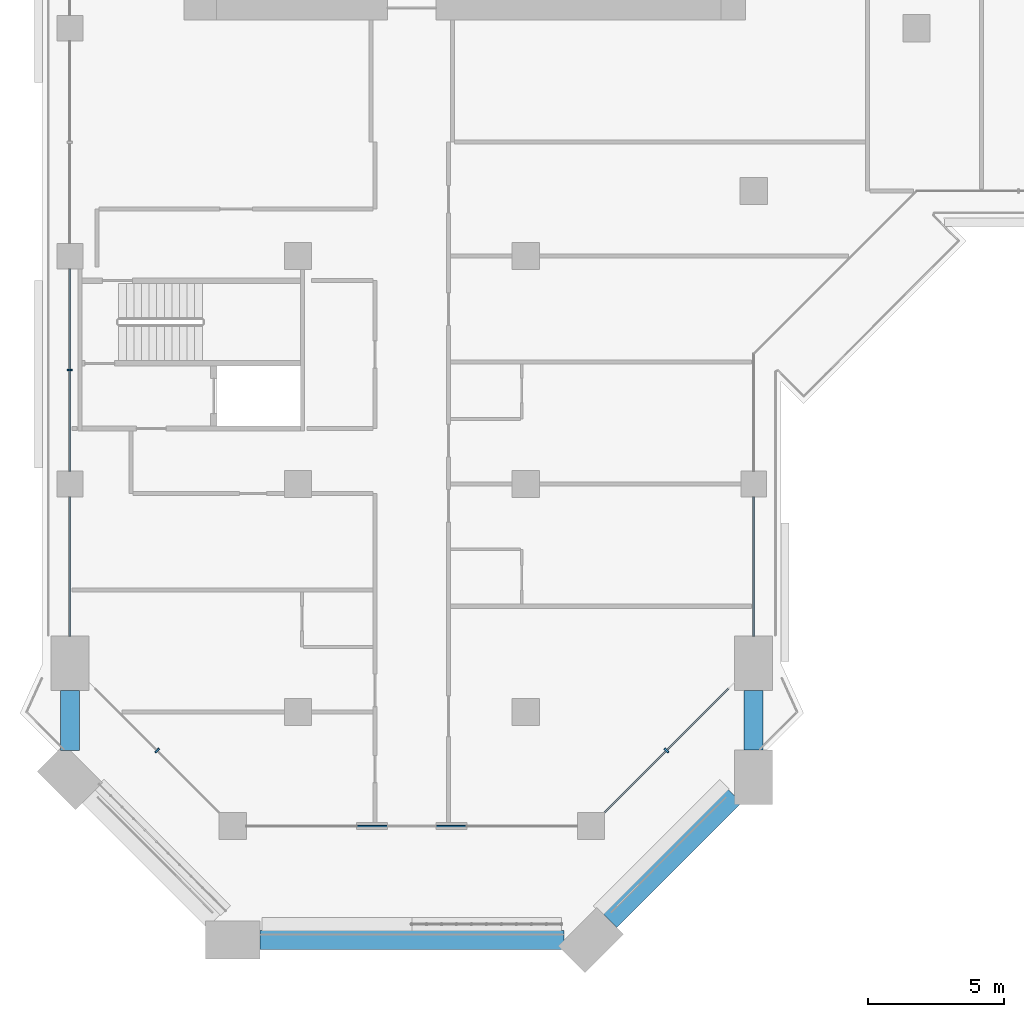
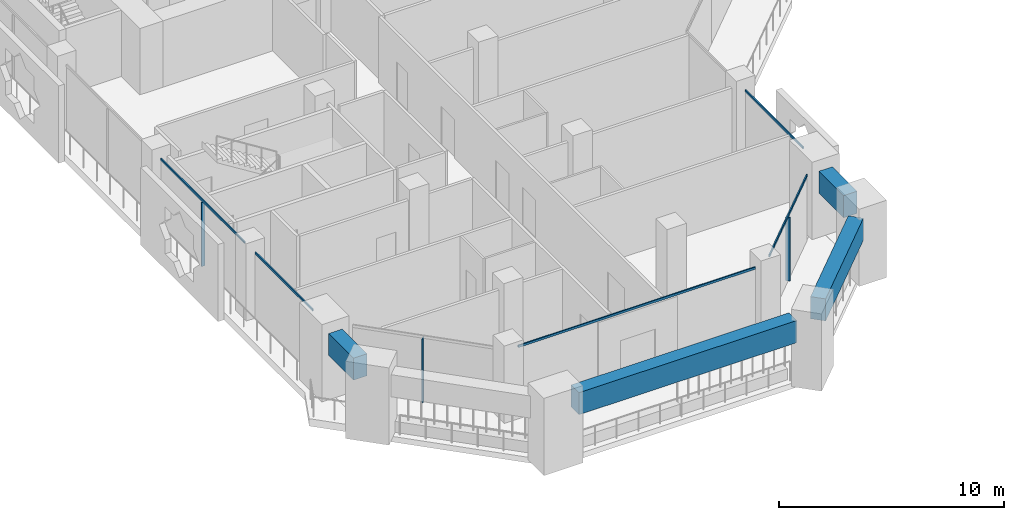
# One storey, part 2 of 22: 8 members, 4 beams, 5 elements without a shape of their own.
"""IFC4 building model written with IfcOpenShell, lengths in metres."""

from ifc_helpers import new_model, si_unit, direction, frame, origin, origin_2d, place, context, subcontext, project, spatial, rectangle, extrude, material, layer, layer_set, material_profile, profile_set, type_object, element, aggregate, save


model = new_model("IFC4")

# Units and contexts
model_context = context("Model", 3, precision=1e-05, world=origin(), true_north=direction((0.0, 1.0)))
body_context = subcontext(model_context, "Body", "Model", "MODEL_VIEW")
ifc_project = project(units=[si_unit("LENGTHUNIT", "METRE"), si_unit("AREAUNIT", "SQUARE_METRE"), si_unit("VOLUMEUNIT", "CUBIC_METRE"), si_unit("PLANEANGLEUNIT", "RADIAN"), si_unit("MASSUNIT", "GRAM", prefix="KILO")], contexts=[model_context])

# Site, building, storey
site_placement = place(None, origin())
site = spatial("IfcSite", under=ifc_project, at=site_placement, CompositionType="ELEMENT")
building_placement = place(site_placement, origin())
building = spatial("IfcBuilding", under=site, at=building_placement, Name="Kawkab Arch Medical Tower", CompositionType="ELEMENT")
storey_placement = place(building_placement, frame((0.0, 0.0, 171.0)))
storey = spatial("IfcBuildingStorey", under=building, at=storey_placement, Name="L39", CompositionType="ELEMENT", Elevation=171.0)

# Curtain wall, members
ifc_material_1 = material(Name="Bronze anodised aluminium curtain wall frame", Category="aluminium")
ifc_layer_1 = layer(ifc_material_1, 0.159912109375)
ifc_layer_set_1 = layer_set([ifc_layer_1], Name="Bronze anodised aluminium curtain wall frame")
curtain_wall_type_1 = type_object("IfcCurtainWallType", Name="CW1 ward curtain wall", PredefinedType="NOTDEFINED", material=ifc_layer_set_1)
placement = place(storey_placement, origin())
curtain_wall_1 = element("IfcCurtainWall", 1, at=placement, inside=storey, type_object=curtain_wall_type_1, Name="CW1 Ward curtain wall R01", PredefinedType="NOTDEFINED")
ifc_material_2 = material(Name="Bronze anodised aluminium curtain wall frame", Category="aluminium")
ifc_material_profile_1 = material_profile(ifc_material_2, rectangle(XDim=0.179931640625, YDim=0.06005859375, at=origin_2d()), Name="AL 60x180")
ifc_profile_set_1 = profile_set([ifc_material_profile_1], Name="Bronze anodised aluminium curtain wall frame")
member_type_1 = type_object("IfcMemberType", Name="CW1 mullion 60 x 180", PredefinedType="MULLION", material=ifc_profile_set_1)
member_1_placement = place(storey_placement, frame((0.0, -37.800048828125, 0.0), z_axis=(0.0, 0.0, 1.0), x_axis=(1.0, 0.0, 0.0)))
member_1 = element("IfcMember", 2, at=member_1_placement, type_object=member_type_1, Name="CW1 mullion 4.1", PredefinedType="MULLION", context=body_context, shape_type="SweptSolid", body=[
    extrude(rectangle(XDim=0.179931640625, YDim=0.06005859375, at=origin_2d()), origin(), (0.0, 0.0, 1.0), 3.47998046875),
])
ifc_material_3 = material(Name="Bronze anodised aluminium curtain wall frame", Category="aluminium")
ifc_material_profile_2 = material_profile(ifc_material_3, rectangle(XDim=0.06005859375, YDim=0.1201171875, at=origin_2d()), Name="AL 60x120")
ifc_profile_set_2 = profile_set([ifc_material_profile_2], Name="Bronze anodised aluminium curtain wall frame")
member_type_2 = type_object("IfcMemberType", Name="CW1 transom 120 x 60", PredefinedType="USERDEFINED", material=ifc_profile_set_2)
member_2_placement = place(storey_placement, frame((0.0, -34.074951171875, 3.5400390625), z_axis=(0.0, -1.0, 0.0), x_axis=(1.0, 0.0, 0.0)))
member_2 = element("IfcMember", 3, at=member_2_placement, type_object=member_type_2, Name="CW1 transom 4", ObjectType="TRANSOM", PredefinedType="USERDEFINED", context=body_context, shape_type="SweptSolid", body=[
    extrude(rectangle(XDim=0.06005859375, YDim=0.1201171875, at=origin_2d()), origin(), (0.0, 0.0, 1.0), 7.449951171875),
])
member_3_placement = place(storey_placement, frame((0.0, -42.47509765625, 3.5400390625), z_axis=(0.0, -1.0, 0.0), x_axis=(1.0, 0.0, 0.0)))
member_3 = element("IfcMember", 4, at=member_3_placement, type_object=member_type_2, Name="CW1 transom 5", ObjectType="TRANSOM", PredefinedType="USERDEFINED", context=body_context, shape_type="SweptSolid", body=[
    extrude(rectangle(XDim=0.06005859375, YDim=0.1201171875, at=origin_2d()), origin(), (0.0, 0.0, 1.0), 5.125),
])
aggregate(curtain_wall_1, [member_2, member_1, member_3])

# Curtain wall, member
curtain_wall_2 = element("IfcCurtainWall", 5, at=placement, inside=storey, type_object=curtain_wall_type_1, Name="CW1 Ward curtain wall R03", PredefinedType="NOTDEFINED")
member_4_placement = place(storey_placement, frame((6.5, -54.60009765625, 3.5400390625), z_axis=(1.0, 0.0, 0.0), x_axis=(0.0, 1.0, 0.0)))
member_4 = element("IfcMember", 6, at=member_4_placement, type_object=member_type_2, Name="CW1 transom 1", ObjectType="TRANSOM", PredefinedType="USERDEFINED", context=body_context, shape_type="SweptSolid", body=[
    extrude(rectangle(XDim=0.06005859375, YDim=0.1201171875, at=origin_2d()), origin(), (0.0, 0.0, 1.0), 12.199951171875),
])
aggregate(curtain_wall_2, [member_4])

curtain_wall_3 = element("IfcCurtainWall", 7, at=placement, inside=storey, type_object=curtain_wall_type_1, Name="CW1 Ward curtain wall R05", PredefinedType="NOTDEFINED")
member_5_placement = place(storey_placement, frame((25.199951171875, -47.60009765625, 3.5400390625), z_axis=(0.0, 1.0, 0.0), x_axis=(-1.0, 0.0, 0.0)))
member_5 = element("IfcMember", 8, at=member_5_placement, type_object=member_type_2, Name="CW1 transom 1", ObjectType="TRANSOM", PredefinedType="USERDEFINED", context=body_context, shape_type="SweptSolid", body=[
    extrude(rectangle(XDim=0.06005859375, YDim=0.1201171875, at=origin_2d()), origin(), (0.0, 0.0, 1.0), 5.125),
])
aggregate(curtain_wall_3, [member_5])

ifc_material_4 = material(Name="Bronze anodised aluminium curtain wall frame", Category="aluminium")
ifc_layer_2 = layer(ifc_material_4, 0.159912109375)
ifc_layer_set_2 = layer_set([ifc_layer_2], Name="Bronze anodised aluminium curtain wall frame")
curtain_wall_type_2 = type_object("IfcCurtainWallType", Name="CW2 chamfer curtain wall", PredefinedType="NOTDEFINED", material=ifc_layer_set_2)
curtain_wall_4 = element("IfcCurtainWall", 9, at=placement, inside=storey, type_object=curtain_wall_type_2, Name="CW2 Chamfer curtain wall R02", PredefinedType="NOTDEFINED")
ifc_material_5 = material(Name="Bronze anodised aluminium curtain wall frame", Category="aluminium")
ifc_material_profile_3 = material_profile(ifc_material_5, rectangle(XDim=0.199951171875, YDim=0.06005859375, at=origin_2d()), Name="AL 60x200")
ifc_profile_set_3 = profile_set([ifc_material_profile_3], Name="Bronze anodised aluminium curtain wall frame")
member_type_3 = type_object("IfcMemberType", Name="CW2 mullion 60 x 200", PredefinedType="MULLION", material=ifc_profile_set_3)
member_6_placement = place(storey_placement, frame((3.215087890625, -51.815185546875, 0.0), z_axis=(0.0, 0.0, 1.0), x_axis=(0.707106781187, 0.707106781187, 0.0)))
member_6 = element("IfcMember", 10, at=member_6_placement, type_object=member_type_3, Name="CW2 mullion 1.1", PredefinedType="MULLION", context=body_context, shape_type="SweptSolid", body=[
    extrude(rectangle(XDim=0.199951171875, YDim=0.06005859375, at=origin_2d()), origin(), (0.0, 0.0, 1.0), 3.4599609375),
])
aggregate(curtain_wall_4, [member_6])

# Curtain wall, members
curtain_wall_5 = element("IfcCurtainWall", 11, at=placement, inside=storey, type_object=curtain_wall_type_2, Name="CW2 Chamfer curtain wall R04", PredefinedType="NOTDEFINED")
member_7_placement = place(storey_placement, frame((21.98486328125, -51.815185546875, 0.0), z_axis=(0.0, 0.0, 1.0), x_axis=(-0.707106781187, 0.707106781187, 0.0)))
member_7 = element("IfcMember", 12, at=member_7_placement, type_object=member_type_3, Name="CW2 mullion 1.1", PredefinedType="MULLION", context=body_context, shape_type="SweptSolid", body=[
    extrude(rectangle(XDim=0.199951171875, YDim=0.06005859375, at=origin_2d()), origin(), (0.0, 0.0, 1.0), 3.4599609375),
])
ifc_material_6 = material(Name="Bronze anodised aluminium curtain wall frame", Category="aluminium")
ifc_material_profile_4 = material_profile(ifc_material_6, rectangle(XDim=0.06005859375, YDim=0.139892578125, at=origin_2d()), Name="AL 60x140")
ifc_profile_set_4 = profile_set([ifc_material_profile_4], Name="Bronze anodised aluminium curtain wall frame")
member_type_4 = type_object("IfcMemberType", Name="CW2 transom 140 x 60", PredefinedType="USERDEFINED", material=ifc_profile_set_4)
member_8_placement = place(storey_placement, frame((19.699951171875, -54.10009765625, 3.530029296875), z_axis=(0.707106781187, 0.707106781187, 0.0), x_axis=(-0.707106781187, 0.707106781187, 0.0)))
member_8 = element("IfcMember", 13, at=member_8_placement, type_object=member_type_4, Name="CW2 transom 1", ObjectType="TRANSOM", PredefinedType="USERDEFINED", context=body_context, shape_type="SweptSolid", body=[
    extrude(rectangle(XDim=0.06005859375, YDim=0.139892578125, at=origin_2d()), origin(), (0.0, 0.0, 1.0), 6.462646484375),
])
aggregate(curtain_wall_5, [member_8, member_7])

# Beams
ifc_material_7 = material(Name="Concrete C50/60", Category="concrete")
ifc_material_profile_5 = material_profile(ifc_material_7, rectangle(XDim=0.699951171875, YDim=1.199951171875, at=origin_2d()), Name="RC 700x1200")
ifc_profile_set_5 = profile_set([ifc_material_profile_5], Name="Concrete C50/60")
beam_type = type_object("IfcBeamType", Name="RC 700x1200 beam C50/60", PredefinedType="BEAM", material=ifc_profile_set_5)
beam_1_placement = place(storey_placement, frame((25.199951171875, -49.60009765625, 3.0), z_axis=(0.0, -1.0, 0.0), x_axis=(1.0, 0.0, 0.0)))
element("IfcBeam", 14, at=beam_1_placement, inside=storey, type_object=beam_type, Name="Terrace frame beam TF-L39-1-L40-01", PredefinedType="BEAM", context=body_context, shape_type="SweptSolid", body=[
    extrude(rectangle(XDim=0.699951171875, YDim=1.199951171875, at=origin_2d()), origin(), (0.0, 0.0, 1.0), 2.199951171875),
])
beam_2_placement = place(storey_placement, frame((24.5, -53.5, 3.0), z_axis=(-0.707106781187, -0.707106781187, 0.0), x_axis=(0.707106781187, -0.707106781187, 0.0)))
element("IfcBeam", 15, at=beam_2_placement, inside=storey, type_object=beam_type, Name="Terrace frame beam TF-L39-1-L40-02", PredefinedType="BEAM", context=body_context, shape_type="SweptSolid", body=[
    extrude(rectangle(XDim=0.699951171875, YDim=1.199951171875, at=origin_2d()), origin(), (0.0, 0.0, 1.0), 6.49560546875),
])
beam_3_placement = place(storey_placement, frame((18.210205078125, -58.800048828125, 3.0), z_axis=(-1.0, 0.0, 0.0), x_axis=(0.0, -1.0, 0.0)))
element("IfcBeam", 16, at=beam_3_placement, inside=storey, type_object=beam_type, Name="Terrace frame beam TF-L39-1-L40-03", PredefinedType="BEAM", context=body_context, shape_type="SweptSolid", body=[
    extrude(rectangle(XDim=0.699951171875, YDim=1.199951171875, at=origin_2d()), origin(), (0.0, 0.0, 1.0), 11.210205078125),
])
beam_4_placement = place(storey_placement, frame((0.0, -51.81005859375, 3.0), z_axis=(0.0, 1.0, 0.0), x_axis=(-1.0, 0.0, 0.0)))
element("IfcBeam", 17, at=beam_4_placement, inside=storey, type_object=beam_type, Name="Terrace frame beam TF-L39-1-L40-05", PredefinedType="BEAM", context=body_context, shape_type="SweptSolid", body=[
    extrude(rectangle(XDim=0.699951171875, YDim=1.199951171875, at=origin_2d()), origin(), (0.0, 0.0, 1.0), 2.2099609375),
])

save(model, "model.ifc")
